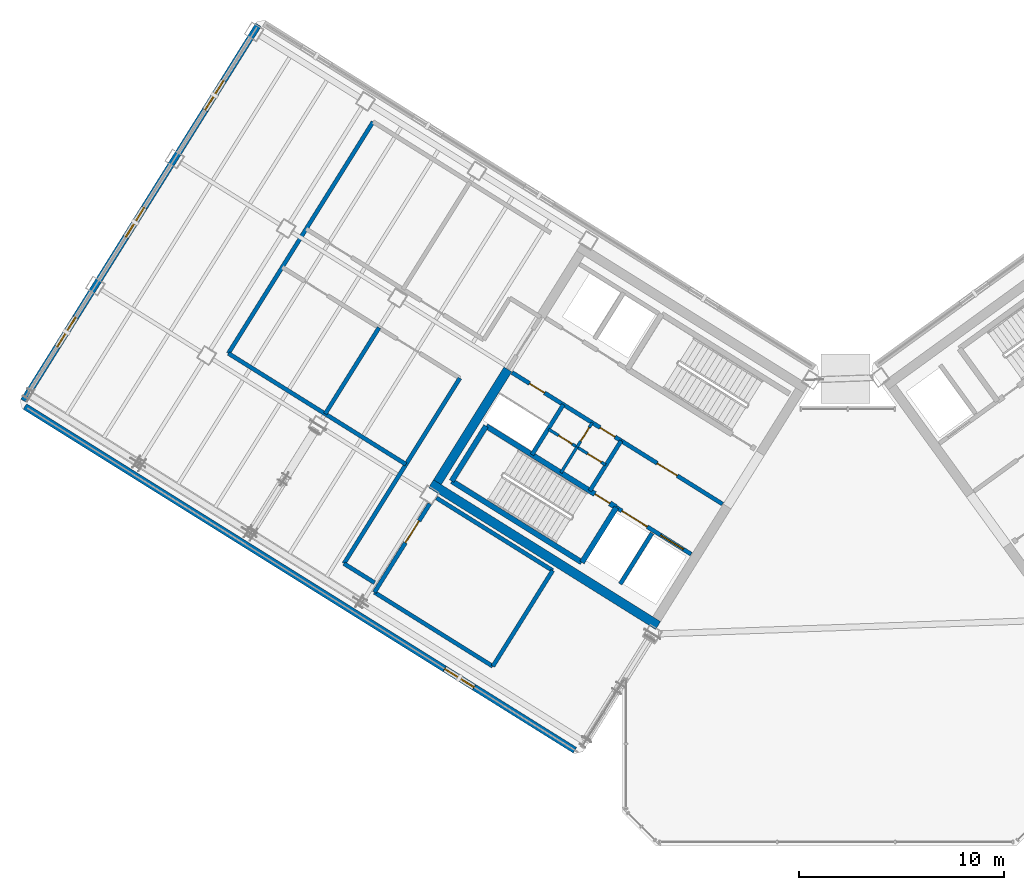
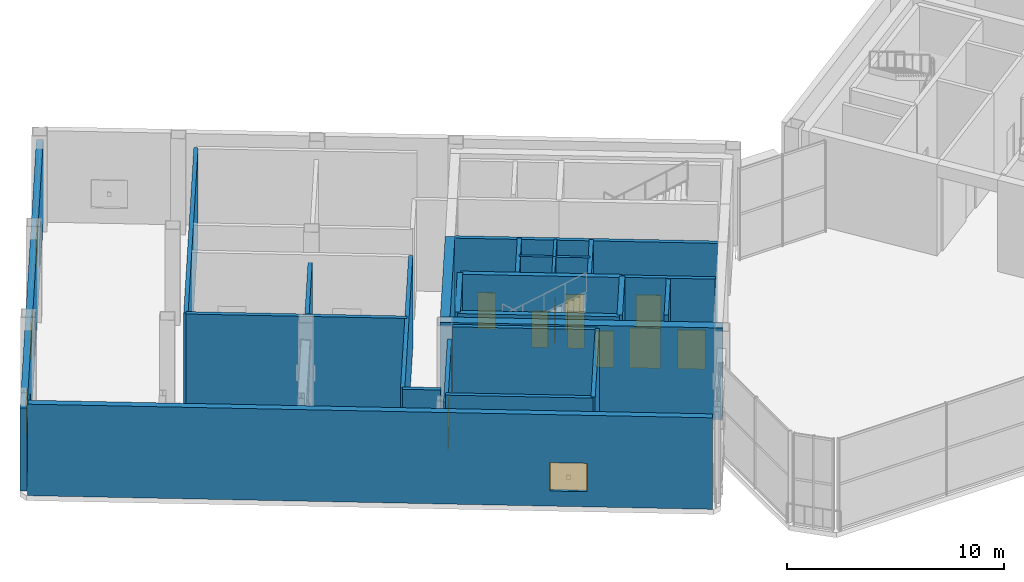
# One storey, part 21 of 32: 26 walls, 10 doors, 4 windows, 14 openings.
"""IFC4 building model written with IfcOpenShell, lengths in metres."""

from ifc_helpers import new_model, si_unit, direction, frame, frame_2d, origin, place, context, subcontext, project, spatial, rectangle, extrude, source, transform, mapped, material, layer, layer_set, type_object, element, fill, save


model = new_model("IFC4")

# Units and contexts
model_context = context("Model", 3, precision=1e-05, world=origin(), true_north=direction((0.0, 1.0)))
body_context = subcontext(model_context, "Body", "Model", "MODEL_VIEW")
ifc_project = project(units=[si_unit("LENGTHUNIT", "METRE"), si_unit("AREAUNIT", "SQUARE_METRE"), si_unit("VOLUMEUNIT", "CUBIC_METRE"), si_unit("PLANEANGLEUNIT", "RADIAN"), si_unit("MASSUNIT", "GRAM", prefix="KILO")], contexts=[model_context])

# Site, building, storey
site_placement = place(None, origin())
site = spatial("IfcSite", under=ifc_project, at=site_placement, CompositionType="ELEMENT")
building_placement = place(site_placement, origin())
building = spatial("IfcBuilding", under=site, at=building_placement, Name="Tlacorven Tower", CompositionType="ELEMENT")
storey_placement = place(building_placement, frame((0.0, 0.0, 245.699951171875)))
storey = spatial("IfcBuildingStorey", under=building, at=storey_placement, Name="L62", CompositionType="ELEMENT", Elevation=245.699951171875)

# Walls
ifc_material_1 = material(Name="Concrete C50/60", Category="concrete")
ifc_layer_1 = layer(ifc_material_1, 0.449951171875)
ifc_layer_set_1 = layer_set([ifc_layer_1], Name="Concrete C50/60")
wall_type_1 = type_object("IfcWallType", Name="WL-COR-450", PredefinedType="SHEAR", material=ifc_layer_set_1)
wall_1_placement = place(storey_placement, frame((33.32373046875, 12.5029296875, 0.0), z_axis=(0.0, 0.0, 1.0), x_axis=(-0.848043529849, 0.529926571782, 0.0)))
element("IfcWall", 1, at=wall_1_placement, inside=storey, type_object=wall_type_1, Name="L62 W core shear wall S2", PredefinedType="SHEAR", context=body_context, shape_type="SweptSolid", body=[
    extrude(rectangle(XDim=13.039794921875, YDim=0.449951171875, at=frame_2d((6.52001953125, 0.0))), origin(), (0.0, 0.0, 1.0), 5.150146484375),
])
wall_2_placement = place(storey_placement, frame((26.006591796875, 24.975830078125, 0.0), z_axis=(0.0, 0.0, 1.0), x_axis=(-0.529931155655, -0.848040665456, 0.0)))
element("IfcWall", 2, at=wall_2_placement, inside=storey, type_object=wall_type_1, Name="L62 W core end wall E2.2", PredefinedType="SHEAR", context=body_context, shape_type="SweptSolid", body=[
    extrude(rectangle(XDim=6.47509765625, YDim=0.449951171875, at=frame_2d((3.237548828125, 0.0))), origin(), (0.0, 0.0, 1.0), 5.150146484375),
])

# Wall, opening, window
ifc_material_2 = material(Name="Precast concrete C45/55", Category="concrete")
ifc_layer_2 = layer(ifc_material_2, 0.320068359375)
ifc_layer_set_2 = layer_set([ifc_layer_2], Name="Precast concrete C45/55")
wall_type_2 = type_object("IfcWallType", Name="WL-EXT-320", PredefinedType="STANDARD", material=ifc_layer_set_2)
wall_3_placement = place(storey_placement, frame((29.267822265625, 6.429443359375, 0.0), z_axis=(0.0, 0.0, 1.0), x_axis=(-0.848049971435, 0.529916263149, 0.0)))
wall_3 = element("IfcWall", 3, at=wall_3_placement, inside=storey, type_object=wall_type_2, Name="L62 Masonry-Frame Recessed Facade Wall 1", PredefinedType="STANDARD", context=body_context, shape_type="SweptSolid", body=[
    extrude(rectangle(XDim=31.587646484375, YDim=0.320068359375, at=frame_2d((15.7939453125, 0.0))), origin(), (0.0, 0.0, 1.0), 5.150146484375),
])
opening_1_placement = place(wall_3_placement, frame((5.781982421875, 0.0, 0.85009765625)))
opening_1 = element("IfcOpeningElement", 4, at=opening_1_placement, cuts=wall_3, Name="Opening WN19", PredefinedType="OPENING", context=body_context, shape_type="SweptSolid", body=[
    extrude(rectangle(XDim=1.699951171875, YDim=1.60009765625, at=frame_2d((0.85009765625, 0.800048828125))), frame((0.0, 0.169921875, 0.0), z_axis=(0.0, -1.0, 0.0), x_axis=(1.0, 0.0, 0.0)), (0.0, 0.0, 1.0), 0.340087890625),
])
ifc_material_3 = material(Name="Dark solar low-E double glazing in anodised aluminium frame", Category="aluminium")
window_type = type_object("IfcWindowType", Name="WN-CRN-1700X1800", PartitioningType="SINGLE_PANEL", PredefinedType="WINDOW", material=ifc_material_3)
shared_shape_1 = source(origin(), body_context, "Body", "SweptSolid", [
    extrude(rectangle(XDim=1.699951171875, YDim=1.60009765625, at=frame_2d((0.85009765625, 0.800048828125))), frame((0.0, 0.030029296875, 0.0), z_axis=(0.0, -1.0, 0.0), x_axis=(1.0, 0.0, 0.0)), (0.0, 0.0, 1.0), 0.06005859375),
])
window_1_placement = place(opening_1_placement, origin())
window_1 = element("IfcWindow", 5, at=window_1_placement, inside=storey, type_object=window_type, Name="L62 Acoustic Plant Facade Window 1.1", OverallHeight=1.60009765625, OverallWidth=1.699951171875, PartitioningType="SINGLE_PANEL", PredefinedType="WINDOW", context=body_context, shape_type="MappedRepresentation", body=[
    mapped(shared_shape_1, transform((0.0, 0.0, 0.0), scale=1.0)),
])
fill(opening_1, window_1)

# Wall, openings, windows
wall_4_placement = place(storey_placement, frame((2.41455078125, 23.452392578125, 0.0), z_axis=(0.0, 0.0, 1.0), x_axis=(0.52991049553, 0.848053575387, 0.0)))
wall_4 = element("IfcWall", 6, at=wall_4_placement, inside=storey, type_object=wall_type_2, Name="L62 Masonry-Frame Recessed Facade Wall 2", PredefinedType="STANDARD", context=body_context, shape_type="SweptSolid", body=[
    extrude(rectangle(XDim=21.58740234375, YDim=0.320068359375, at=frame_2d((10.793701171875, 0.0))), origin(), (0.0, 0.0, 1.0), 4.675048828125),
])
opening_2_placement = place(wall_4_placement, frame((3.09375, 0.0, 0.85009765625)))
opening_2 = element("IfcOpeningElement", 7, at=opening_2_placement, cuts=wall_4, Name="Opening WN19", PredefinedType="OPENING", context=body_context, shape_type="SweptSolid", body=[
    extrude(rectangle(XDim=1.699951171875, YDim=1.60009765625, at=frame_2d((0.85009765625, 0.800048828125))), frame((0.0, 0.169921875, 0.0), z_axis=(0.0, -1.0, 0.0), x_axis=(1.0, 0.0, 0.0)), (0.0, 0.0, 1.0), 0.340087890625),
])
opening_3_placement = place(wall_4_placement, frame((9.393798828125, 0.0, 0.85009765625)))
opening_3 = element("IfcOpeningElement", 8, at=opening_3_placement, cuts=wall_4, Name="Opening WN19", PredefinedType="OPENING", context=body_context, shape_type="SweptSolid", body=[
    extrude(rectangle(XDim=1.699951171875, YDim=1.60009765625, at=frame_2d((0.85009765625, 0.800048828125))), frame((0.0, 0.169921875, 0.0), z_axis=(0.0, -1.0, 0.0), x_axis=(1.0, 0.0, 0.0)), (0.0, 0.0, 1.0), 0.340087890625),
])
opening_4_placement = place(wall_4_placement, frame((16.693603515625, 0.0, 0.85009765625)))
opening_4 = element("IfcOpeningElement", 9, at=opening_4_placement, cuts=wall_4, Name="Opening WN19", PredefinedType="OPENING", context=body_context, shape_type="SweptSolid", body=[
    extrude(rectangle(XDim=1.699951171875, YDim=1.60009765625, at=frame_2d((0.85009765625, 0.800048828125))), frame((0.0, 0.169921875, 0.0), z_axis=(0.0, -1.0, 0.0), x_axis=(1.0, 0.0, 0.0)), (0.0, 0.0, 1.0), 0.340087890625),
])
window_2_placement = place(opening_2_placement, origin())
window_2 = element("IfcWindow", 10, at=window_2_placement, inside=storey, type_object=window_type, Name="L62 Acoustic Plant Facade Window 2.1", OverallHeight=1.60009765625, OverallWidth=1.699951171875, PartitioningType="SINGLE_PANEL", PredefinedType="WINDOW", context=body_context, shape_type="MappedRepresentation", body=[
    mapped(shared_shape_1, transform((0.0, 0.0, 0.0), scale=1.0)),
])
fill(opening_2, window_2)
window_3_placement = place(opening_3_placement, origin())
window_3 = element("IfcWindow", 11, at=window_3_placement, inside=storey, type_object=window_type, Name="L62 Acoustic Plant Facade Window 2.2", OverallHeight=1.60009765625, OverallWidth=1.699951171875, PartitioningType="SINGLE_PANEL", PredefinedType="WINDOW", context=body_context, shape_type="MappedRepresentation", body=[
    mapped(shared_shape_1, transform((0.0, 0.0, 0.0), scale=1.0)),
])
fill(opening_3, window_3)
window_4_placement = place(opening_4_placement, origin())
window_4 = element("IfcWindow", 12, at=window_4_placement, inside=storey, type_object=window_type, Name="L62 Acoustic Plant Facade Window 2.3", OverallHeight=1.60009765625, OverallWidth=1.699951171875, PartitioningType="SINGLE_PANEL", PredefinedType="WINDOW", context=body_context, shape_type="MappedRepresentation", body=[
    mapped(shared_shape_1, transform((0.0, 0.0, 0.0), scale=1.0)),
])
fill(opening_4, window_4)

# Wall, opening, door
ifc_material_4 = material(Name="Moisture-resistant gypsum plumbing wall", Category="gypsum")
ifc_layer_3 = layer(ifc_material_4, 0.139892578125)
ifc_layer_set_3 = layer_set([ifc_layer_3], Name="Moisture-resistant gypsum plumbing wall")
wall_type_3 = type_object("IfcWallType", Name="WL-PLM-140", PredefinedType="PLUMBINGWALL", material=ifc_layer_set_3)
wall_5_placement = place(storey_placement, frame((30.117431640625, 22.383544921875, 0.0), z_axis=(0.0, 0.0, 1.0), x_axis=(-0.529951914384, -0.848027693204, 0.0)))
wall_5 = element("IfcWall", 13, at=wall_5_placement, inside=storey, type_object=wall_type_3, Name="L62 partition 18", PredefinedType="PLUMBINGWALL", context=body_context, shape_type="SweptSolid", body=[
    extrude(rectangle(XDim=1.39990234375, YDim=0.139892578125, at=frame_2d((0.699951171875, 0.0))), origin(), (0.0, 0.0, 1.0), 5.14013671875),
])
opening_5_placement = place(wall_5_placement, frame((0.280029296875, 0.0, 0.0)))
opening_5 = element("IfcOpeningElement", 14, at=opening_5_placement, cuts=wall_5, Name="Opening D22", PredefinedType="OPENING", context=body_context, shape_type="SweptSolid", body=[
    extrude(rectangle(XDim=0.780029296875, YDim=2.050048828125, at=frame_2d((0.39013671875, 1.02490234375))), frame((0.0, 0.080078125, 0.0), z_axis=(0.0, -1.0, 0.0), x_axis=(1.0, 0.0, 0.0)), (0.0, 0.0, 1.0), 0.159912109375),
])
ifc_material_5 = material(Name="Powder-coated aluminium and timber door", Category="wood")
door_type_1 = type_object("IfcDoorType", Name="DR-INT-WET-0780", OperationType="NOTDEFINED", PredefinedType="DOOR", material=ifc_material_5)
shared_shape_2 = source(origin(), body_context, "Body", "SweptSolid", [
    extrude(rectangle(XDim=0.780029296875, YDim=2.050048828125, at=frame_2d((0.39013671875, 1.02490234375))), frame((0.0, 0.02490234375, 0.0), z_axis=(0.0, -1.0, 0.0), x_axis=(1.0, 0.0, 0.0)), (0.0, 0.0, 1.0), 0.050048828125),
])
door_1_placement = place(opening_5_placement, origin())
door_1 = element("IfcDoor", 15, at=door_1_placement, inside=storey, type_object=door_type_1, Name="L62 door 010", OperationType="SINGLE_SWING_LEFT", OverallHeight=2.050048828125, OverallWidth=0.780029296875, PredefinedType="DOOR", context=body_context, shape_type="MappedRepresentation", body=[
    mapped(shared_shape_2, transform((0.0, 0.0, 0.0), scale=1.0)),
])
fill(opening_5, door_1)

# Wall
wall_6_placement = place(storey_placement, frame((29.37548828125, 21.1962890625, 0.0), z_axis=(0.0, 0.0, 1.0), x_axis=(-0.529865479138, -0.848081702443, 0.0)))
element("IfcWall", 16, at=wall_6_placement, inside=storey, type_object=wall_type_3, Name="L62 partition 19", PredefinedType="PLUMBINGWALL", context=body_context, shape_type="SweptSolid", body=[
    extrude(rectangle(XDim=1.47998046875, YDim=0.139892578125, at=frame_2d((0.739990234375, 0.0))), origin(), (0.0, 0.0, 1.0), 5.14013671875),
])

# Wall, openings, doors
wall_7_placement = place(storey_placement, frame((30.766357421875, 20.3271484375, 0.0), z_axis=(0.0, 0.0, 1.0), x_axis=(-0.848052663127, 0.529911955482, 0.0)))
wall_7 = element("IfcWall", 17, at=wall_7_placement, inside=storey, type_object=wall_type_3, Name="L62 partition 20", PredefinedType="PLUMBINGWALL", context=body_context, shape_type="SweptSolid", body=[
    extrude(rectangle(XDim=3.27978515625, YDim=0.139892578125, at=frame_2d((1.639892578125, 0.0))), origin(), (0.0, 0.0, 1.0), 5.14013671875),
])
opening_6_placement = place(wall_7_placement, frame((0.25, 0.0, 0.0)))
opening_6 = element("IfcOpeningElement", 18, at=opening_6_placement, cuts=wall_7, Name="Opening D22", PredefinedType="OPENING", context=body_context, shape_type="SweptSolid", body=[
    extrude(rectangle(XDim=0.780029296875, YDim=2.050048828125, at=frame_2d((0.39013671875, 1.02490234375))), frame((0.0, 0.080078125, 0.0), z_axis=(0.0, -1.0, 0.0), x_axis=(1.0, 0.0, 0.0)), (0.0, 0.0, 1.0), 0.159912109375),
])
opening_7_placement = place(wall_7_placement, frame((1.919921875, 0.0, 0.0)))
opening_7 = element("IfcOpeningElement", 19, at=opening_7_placement, cuts=wall_7, Name="Opening D22", PredefinedType="OPENING", context=body_context, shape_type="SweptSolid", body=[
    extrude(rectangle(XDim=0.780029296875, YDim=2.050048828125, at=frame_2d((0.39013671875, 1.02490234375))), frame((0.0, 0.080078125, 0.0), z_axis=(0.0, -1.0, 0.0), x_axis=(1.0, 0.0, 0.0)), (0.0, 0.0, 1.0), 0.159912109375),
])
door_2_placement = place(opening_6_placement, origin())
door_2 = element("IfcDoor", 20, at=door_2_placement, inside=storey, type_object=door_type_1, Name="L62 door 011", OperationType="SINGLE_SWING_RIGHT", OverallHeight=2.050048828125, OverallWidth=0.780029296875, PredefinedType="DOOR", context=body_context, shape_type="MappedRepresentation", body=[
    mapped(shared_shape_2, transform((0.0, 0.0, 0.0), scale=1.0)),
])
fill(opening_6, door_2)
door_3_placement = place(opening_7_placement, origin())
door_3 = element("IfcDoor", 21, at=door_3_placement, inside=storey, type_object=door_type_1, Name="L62 door 012", OperationType="SINGLE_SWING_LEFT", OverallHeight=2.050048828125, OverallWidth=0.780029296875, PredefinedType="DOOR", context=body_context, shape_type="MappedRepresentation", body=[
    mapped(shared_shape_2, transform((0.0, 0.0, 0.0), scale=1.0)),
])
fill(opening_7, door_3)

ifc_material_6 = material(Name="Concrete C40/50", Category="concrete")
ifc_layer_4 = layer(ifc_material_6, 0.199951171875)
ifc_layer_set_4 = layer_set([ifc_layer_4], Name="Concrete C40/50")
wall_type_4 = type_object("IfcWallType", Name="WL-SHF-200", PredefinedType="STANDARD", material=ifc_layer_set_4)
wall_8_placement = place(storey_placement, frame((34.93310546875, 15.978271484375, 0.0), z_axis=(0.0, 0.0, 1.0), x_axis=(-0.848055739377, 0.529907032327, 0.0)))
wall_8 = element("IfcWall", 22, at=wall_8_placement, inside=storey, type_object=wall_type_4, Name="L62 Core W Firefighting Lift Shaft Front Wall", PredefinedType="STANDARD", context=body_context, shape_type="SweptSolid", body=[
    extrude(rectangle(XDim=4.298095703125, YDim=0.199951171875, at=frame_2d((2.14892578125, 0.0))), origin(), (0.0, 0.0, 1.0), 5.14013671875),
])
opening_8_placement = place(wall_8_placement, frame((0.447998046875, 0.0, 0.0)))
opening_8 = element("IfcOpeningElement", 23, at=opening_8_placement, cuts=wall_8, Name="Opening LD03", PredefinedType="OPENING", context=body_context, shape_type="SweptSolid", body=[
    extrude(rectangle(XDim=1.300048828125, YDim=2.199951171875, at=frame_2d((0.64990234375, 1.10009765625))), frame((0.0, 0.10986328125, 0.0), z_axis=(0.0, -1.0, 0.0), x_axis=(1.0, 0.0, 0.0)), (0.0, 0.0, 1.0), 0.219970703125),
])
opening_9_placement = place(wall_8_placement, frame((2.52294921875, 0.0, 0.0)))
opening_9 = element("IfcOpeningElement", 24, at=opening_9_placement, cuts=wall_8, Name="Opening LD04", PredefinedType="OPENING", context=body_context, shape_type="SweptSolid", body=[
    extrude(rectangle(XDim=1.449951171875, YDim=2.25, at=frame_2d((0.72509765625, 1.125))), frame((0.0, 0.10986328125, 0.0), z_axis=(0.0, -1.0, 0.0), x_axis=(1.0, 0.0, 0.0)), (0.0, 0.0, 1.0), 0.219970703125),
])
ifc_material_7 = material(Name="Fire-rated steel door assembly", Category="steel")
door_type_2 = type_object("IfcDoorType", Name="DR-LFT-SLID-1300", OperationType="DOUBLE_DOOR_SLIDING", PredefinedType="DOOR", material=ifc_material_7)
shared_shape_3 = source(origin(), body_context, "Body", "SweptSolid", [
    extrude(rectangle(XDim=1.300048828125, YDim=2.199951171875, at=frame_2d((0.64990234375, 1.10009765625))), frame((0.0, 0.02490234375, 0.0), z_axis=(0.0, -1.0, 0.0), x_axis=(1.0, 0.0, 0.0)), (0.0, 0.0, 1.0), 0.050048828125),
])
door_4_placement = place(opening_8_placement, origin())
door_4 = element("IfcDoor", 25, at=door_4_placement, inside=storey, type_object=door_type_2, Name="L62 Lift FFL-W1 Sliding Landing Door", OperationType="DOUBLE_DOOR_SLIDING", OverallHeight=2.199951171875, OverallWidth=1.300048828125, PredefinedType="DOOR", context=body_context, shape_type="MappedRepresentation", body=[
    mapped(shared_shape_3, transform((0.0, 0.0, 0.0), scale=1.0)),
])
fill(opening_8, door_4)
door_type_3 = type_object("IfcDoorType", Name="DR-LFT-SLID-1450", OperationType="DOUBLE_DOOR_SLIDING", PredefinedType="DOOR", material=ifc_material_7)
shared_shape_4 = source(origin(), body_context, "Body", "SweptSolid", [
    extrude(rectangle(XDim=1.449951171875, YDim=2.25, at=frame_2d((0.72509765625, 1.125))), frame((0.0, 0.02490234375, 0.0), z_axis=(0.0, -1.0, 0.0), x_axis=(1.0, 0.0, 0.0)), (0.0, 0.0, 1.0), 0.050048828125),
])
door_5_placement = place(opening_9_placement, origin())
door_5 = element("IfcDoor", 26, at=door_5_placement, inside=storey, type_object=door_type_3, Name="L62 Lift SVL-W1 Sliding Landing Door", OperationType="DOUBLE_DOOR_SLIDING", OverallHeight=2.25, OverallWidth=1.449951171875, PredefinedType="DOOR", context=body_context, shape_type="MappedRepresentation", body=[
    mapped(shared_shape_4, transform((0.0, 0.0, 0.0), scale=1.0)),
])
fill(opening_9, door_5)

# Wall, opening, door
wall_9_placement = place(storey_placement, frame((36.459228515625, 18.420654296875, 0.0), z_axis=(0.0, 0.0, 1.0), x_axis=(-0.848059591691, 0.529900867089, 0.0)))
wall_9 = element("IfcWall", 27, at=wall_9_placement, inside=storey, type_object=wall_type_4, Name="L62 Core W Smoke Lobby Wall", PredefinedType="STANDARD", context=body_context, shape_type="SweptSolid", body=[
    extrude(rectangle(XDim=5.818115234375, YDim=0.199951171875, at=frame_2d((2.9091796875, 0.0))), origin(), (0.0, 0.0, 1.0), 5.14013671875),
])
opening_10_placement = place(wall_9_placement, frame((2.597900390625, 0.0, 0.0)))
opening_10 = element("IfcOpeningElement", 28, at=opening_10_placement, cuts=wall_9, Name="Opening D09", PredefinedType="OPENING", context=body_context, shape_type="SweptSolid", body=[
    extrude(rectangle(XDim=1.14990234375, YDim=2.10009765625, at=frame_2d((0.574951171875, 1.050048828125))), frame((0.0, 0.10986328125, 0.0), z_axis=(0.0, -1.0, 0.0), x_axis=(1.0, 0.0, 0.0)), (0.0, 0.0, 1.0), 0.219970703125),
])
door_type_4 = type_object("IfcDoorType", Name="DR-FFL-FD60-1150", OperationType="NOTDEFINED", PredefinedType="DOOR", material=ifc_material_7)
shared_shape_5 = source(origin(), body_context, "Body", "SweptSolid", [
    extrude(rectangle(XDim=1.14990234375, YDim=2.10009765625, at=frame_2d((0.574951171875, 1.050048828125))), frame((0.0, 0.02490234375, 0.0), z_axis=(0.0, -1.0, 0.0), x_axis=(1.0, 0.0, 0.0)), (0.0, 0.0, 1.0), 0.050048828125),
])
door_6_placement = place(opening_10_placement, origin())
door_6 = element("IfcDoor", 29, at=door_6_placement, inside=storey, type_object=door_type_4, Name="L62 Firefighting Lobby W Fire Door", OperationType="SINGLE_SWING_RIGHT", OverallHeight=2.10009765625, OverallWidth=1.14990234375, PredefinedType="DOOR", context=body_context, shape_type="MappedRepresentation", body=[
    mapped(shared_shape_5, transform((0.0, 0.0, 0.0), scale=1.0)),
])
fill(opening_10, door_6)

# Walls
wall_10_placement = place(storey_placement, frame((33.02880859375, 17.003173828125, 0.0), z_axis=(0.0, 0.0, 1.0), x_axis=(-0.529916267533, -0.848049968695, 0.0)))
element("IfcWall", 30, at=wall_10_placement, inside=storey, type_object=wall_type_4, Name="L62 partition 11", PredefinedType="STANDARD", context=body_context, shape_type="SweptSolid", body=[
    extrude(rectangle(XDim=2.919921875, YDim=0.199951171875, at=frame_2d((1.4599609375, 0.0))), origin(), (0.0, 0.0, 1.0), 5.14013671875),
])
for number, where, z_axis, x_axis, name in (
    (31, (31.525146484375, 21.503662109375, 0.0), (0.0, 0.0, 1.0), (-0.529907497854, -0.848055448493, 0.0), "L62 partition 15"),
    (32, (28.709716796875, 23.26318359375, 0.0), (0.0, 0.0, 1.0), (-0.529907497854, -0.848055448493, 0.0), "L62 partition 16"),
):
    element("IfcWall", number, at=place(storey_placement, frame(where, z_axis=z_axis, x_axis=x_axis)), inside=storey, type_object=wall_type_4, Name=name, PredefinedType="STANDARD", context=body_context, shape_type="SweptSolid", body=[
        extrude(rectangle(XDim=2.8798828125, YDim=0.199951171875, at=frame_2d((1.43994140625, 0.0))), origin(), (0.0, 0.0, 1.0), 5.14013671875),
    ])

# Wall, openings, doors
wall_11_placement = place(storey_placement, frame((31.525146484375, 21.503662109375, 0.0), z_axis=(0.0, 0.0, 1.0), x_axis=(-0.848042066329, 0.529928913853, 0.0)))
wall_11 = element("IfcWall", 33, at=wall_11_placement, inside=storey, type_object=wall_type_4, Name="L62 Core W North Service Wall", PredefinedType="STANDARD", context=body_context, shape_type="SweptSolid", body=[
    extrude(rectangle(XDim=6.267822265625, YDim=0.199951171875, at=frame_2d((3.1337890625, 0.0))), origin(), (0.0, 0.0, 1.0), 5.14013671875),
])
opening_11_placement = place(wall_11_placement, frame((4.39990234375, 0.0, 0.0)))
opening_11 = element("IfcOpeningElement", 34, at=opening_11_placement, cuts=wall_11, Name="Opening D19", PredefinedType="OPENING", context=body_context, shape_type="SweptSolid", body=[
    extrude(rectangle(XDim=0.860107421875, YDim=2.050048828125, at=frame_2d((0.43017578125, 1.02490234375))), frame((0.0, 0.10986328125, 0.0), z_axis=(0.0, -1.0, 0.0), x_axis=(1.0, 0.0, 0.0)), (0.0, 0.0, 1.0), 0.219970703125),
])
opening_12_placement = place(wall_11_placement, frame((0.35009765625, 0.0, 0.0)))
opening_12 = element("IfcOpeningElement", 35, at=opening_12_placement, cuts=wall_11, Name="Opening D19", PredefinedType="OPENING", context=body_context, shape_type="SweptSolid", body=[
    extrude(rectangle(XDim=0.860107421875, YDim=2.050048828125, at=frame_2d((0.43017578125, 1.02490234375))), frame((0.0, 0.10986328125, 0.0), z_axis=(0.0, -1.0, 0.0), x_axis=(1.0, 0.0, 0.0)), (0.0, 0.0, 1.0), 0.219970703125),
])
door_type_5 = type_object("IfcDoorType", Name="DR-RSR-FD60-0860", OperationType="NOTDEFINED", PredefinedType="DOOR", material=ifc_material_7)
shared_shape_6 = source(origin(), body_context, "Body", "SweptSolid", [
    extrude(rectangle(XDim=0.860107421875, YDim=2.050048828125, at=frame_2d((0.43017578125, 1.02490234375))), frame((0.0, 0.02490234375, 0.0), z_axis=(0.0, -1.0, 0.0), x_axis=(1.0, 0.0, 0.0)), (0.0, 0.0, 1.0), 0.050048828125),
])
door_7_placement = place(opening_11_placement, frame((0.860107421875, 0.0, 0.0), z_axis=(0.0, 0.0, 1.0), x_axis=(-1.0, 0.0, 0.0)))
door_7 = element("IfcDoor", 36, at=door_7_placement, inside=storey, type_object=door_type_5, Name="L62 Electrical Riser Access Door W", OperationType="SINGLE_SWING_LEFT", OverallHeight=2.050048828125, OverallWidth=0.860107421875, PredefinedType="DOOR", context=body_context, shape_type="MappedRepresentation", body=[
    mapped(shared_shape_6, transform((0.0, 0.0, 0.0), scale=1.0)),
])
fill(opening_11, door_7)
door_8_placement = place(opening_12_placement, frame((0.860107421875, 0.0, 0.0), z_axis=(0.0, 0.0, 1.0), x_axis=(-1.0, 0.0, 0.0)))
door_8 = element("IfcDoor", 37, at=door_8_placement, inside=storey, type_object=door_type_5, Name="L62 Cleaning Room Access Door W", OperationType="SINGLE_SWING_RIGHT", OverallHeight=2.050048828125, OverallWidth=0.860107421875, PredefinedType="DOOR", context=body_context, shape_type="MappedRepresentation", body=[
    mapped(shared_shape_6, transform((0.0, 0.0, 0.0), scale=1.0)),
])
fill(opening_12, door_8)

# Walls
wall_12_placement = place(storey_placement, frame((19.44091796875, 37.037841796875, 0.0), z_axis=(0.0, 0.0, 1.0), x_axis=(-0.529936237412, -0.848037489901, 0.0)))
element("IfcWall", 38, at=wall_12_placement, inside=storey, type_object=wall_type_4, Name="L62 partition 39", PredefinedType="STANDARD", context=body_context, shape_type="SweptSolid", body=[
    extrude(rectangle(XDim=13.2998046875, YDim=0.199951171875, at=frame_2d((6.64990234375, 0.0))), origin(), (0.0, 0.0, 1.0), 5.14013671875),
])
wall_13_placement = place(storey_placement, frame((28.18798828125, 15.181640625, 0.0), z_axis=(0.0, 0.0, 1.0), x_axis=(-0.848049646362, 0.529916783378, 0.0)))
element("IfcWall", 39, at=wall_13_placement, inside=storey, type_object=wall_type_4, Name="L62 partition 41", PredefinedType="STANDARD", context=body_context, shape_type="SweptSolid", body=[
    extrude(rectangle(XDim=6.677978515625, YDim=0.199951171875, at=frame_2d((3.3388671875, 0.0))), origin(), (0.0, 0.0, 1.0), 5.14013671875),
])
wall_14_placement = place(storey_placement, frame((25.2734375, 10.517333984375, 0.0), z_axis=(0.0, 0.0, 1.0), x_axis=(-0.848048724775, 0.529918258231, 0.0)))
element("IfcWall", 40, at=wall_14_placement, inside=storey, type_object=wall_type_4, Name="L62 partition 42", PredefinedType="STANDARD", context=body_context, shape_type="SweptSolid", body=[
    extrude(rectangle(XDim=6.800048828125, YDim=0.199951171875, at=frame_2d((3.39990234375, 0.0))), origin(), (0.0, 0.0, 1.0), 5.14013671875),
])
wall_15_placement = place(storey_placement, frame((28.18798828125, 15.181640625, 0.0), z_axis=(0.0, 0.0, 1.0), x_axis=(-0.52991514706, -0.848050668838, 0.0)))
element("IfcWall", 41, at=wall_15_placement, inside=storey, type_object=wall_type_4, Name="L62 partition 43", PredefinedType="STANDARD", context=body_context, shape_type="SweptSolid", body=[
    extrude(rectangle(XDim=5.5, YDim=0.199951171875, at=frame_2d((2.75, 0.0))), origin(), (0.0, 0.0, 1.0), 5.14013671875),
])

# Wall, opening, door
wall_16_placement = place(storey_placement, frame((22.202880859375, 18.435791015625, 0.0), z_axis=(0.0, 0.0, 1.0), x_axis=(-0.529921302798, -0.848046822316, 0.0)))
wall_16 = element("IfcWall", 42, at=wall_16_placement, inside=storey, type_object=wall_type_4, Name="L62 partition 44", PredefinedType="STANDARD", context=body_context, shape_type="SweptSolid", body=[
    extrude(rectangle(XDim=5.088134765625, YDim=0.199951171875, at=frame_2d((2.5439453125, 0.0))), origin(), (0.0, 0.0, 1.0), 4.675048828125),
])
opening_13_placement = place(wall_16_placement, frame((0.988037109375, 0.0, 0.0)))
opening_13 = element("IfcOpeningElement", 43, at=opening_13_placement, cuts=wall_16, Name="Opening D08", PredefinedType="OPENING", context=body_context, shape_type="SweptSolid", body=[
    extrude(rectangle(XDim=1.25, YDim=2.14990234375, at=frame_2d((0.625, 1.074951171875))), frame((0.0, 0.10986328125, 0.0), z_axis=(0.0, -1.0, 0.0), x_axis=(1.0, 0.0, 0.0)), (0.0, 0.0, 1.0), 0.219970703125),
])
door_type_6 = type_object("IfcDoorType", Name="DR-STR-FD90-1250", OperationType="NOTDEFINED", PredefinedType="DOOR", material=ifc_material_7)
shared_shape_7 = source(origin(), body_context, "Body", "SweptSolid", [
    extrude(rectangle(XDim=1.25, YDim=2.14990234375, at=frame_2d((0.625, 1.074951171875))), frame((0.0, 0.02490234375, 0.0), z_axis=(0.0, -1.0, 0.0), x_axis=(1.0, 0.0, 0.0)), (0.0, 0.0, 1.0), 0.050048828125),
])
door_9_placement = place(opening_13_placement, origin())
door_9 = element("IfcDoor", 44, at=door_9_placement, inside=storey, type_object=door_type_6, Name="L62 door 022", OperationType="SINGLE_SWING_RIGHT", OverallHeight=2.14990234375, OverallWidth=1.25, PredefinedType="DOOR", context=body_context, shape_type="MappedRepresentation", body=[
    mapped(shared_shape_7, transform((0.0, 0.0, 0.0), scale=1.0)),
])
fill(opening_13, door_9)

# Walls
wall_17_placement = place(storey_placement, frame((19.51513671875, 14.587158203125, 0.0), z_axis=(0.0, 0.0, 1.0), x_axis=(-0.848076222107, 0.529874250646, 0.0)))
element("IfcWall", 45, at=wall_17_placement, inside=storey, type_object=wall_type_4, Name="L62 partition 46", PredefinedType="STANDARD", context=body_context, shape_type="SweptSolid", body=[
    extrude(rectangle(XDim=1.760009765625, YDim=0.199951171875, at=frame_2d((0.8798828125, 0.0))), origin(), (0.0, 0.0, 1.0), 5.14013671875),
])
wall_18_placement = place(storey_placement, frame((23.666015625, 24.551513671875, 0.0), z_axis=(0.0, 0.0, 1.0), x_axis=(-0.529912392506, -0.848052390049, 0.0)))
element("IfcWall", 46, at=wall_18_placement, inside=storey, type_object=wall_type_4, Name="L62 partition 48", PredefinedType="STANDARD", context=body_context, shape_type="SweptSolid", body=[
    extrude(rectangle(XDim=10.64990234375, YDim=0.199951171875, at=frame_2d((5.324951171875, 0.0))), origin(), (0.0, 0.0, 1.0), 5.14013671875),
])
wall_19_placement = place(storey_placement, frame((19.731201171875, 27.010498046875, 0.0), z_axis=(0.0, 0.0, 1.0), x_axis=(-0.529896970672, -0.848062026312, 0.0)))
element("IfcWall", 47, at=wall_19_placement, inside=storey, type_object=wall_type_4, Name="L62 partition 49", PredefinedType="STANDARD", context=body_context, shape_type="SweptSolid", body=[
    extrude(rectangle(XDim=4.9501953125, YDim=0.199951171875, at=frame_2d((2.47509765625, 0.0))), origin(), (0.0, 0.0, 1.0), 4.675048828125),
])
wall_20_placement = place(storey_placement, frame((21.04296875, 20.353759765625, 0.0), z_axis=(0.0, 0.0, 1.0), x_axis=(-0.848045364107, 0.529923636401, 0.0)))
element("IfcWall", 48, at=wall_20_placement, inside=storey, type_object=wall_type_4, Name="L62 partition 51", PredefinedType="STANDARD", context=body_context, shape_type="SweptSolid", body=[
    extrude(rectangle(XDim=10.2001953125, YDim=0.199951171875, at=frame_2d((5.10009765625, 0.0))), origin(), (0.0, 0.0, 1.0), 5.14013671875),
])
ifc_layer_5 = layer(ifc_material_1, 0.260009765625)
ifc_layer_set_5 = layer_set([ifc_layer_5], Name="Concrete C50/60")
wall_type_5 = type_object("IfcWallType", Name="WL-STW-260", PredefinedType="SHEAR", material=ifc_layer_set_5)
wall_21_placement = place(storey_placement, frame((29.60498046875, 15.581298828125, 0.0), z_axis=(0.0, 0.0, 1.0), x_axis=(-0.848036911448, 0.529937163087, 0.0)))
element("IfcWall", 49, at=wall_21_placement, inside=storey, type_object=wall_type_5, Name="L62 Stair W1 Far Shear Wall", PredefinedType="SHEAR", context=body_context, shape_type="SweptSolid", body=[
    extrude(rectangle(XDim=7.4599609375, YDim=0.260009765625, at=frame_2d((3.72998046875, 0.0))), origin(), (0.0, 0.0, 1.0), 5.150146484375),
])

# Wall, opening, door
wall_22_placement = place(storey_placement, frame((31.279541015625, 18.26123046875, 0.0), z_axis=(0.0, 0.0, 1.0), x_axis=(-0.848051618787, 0.529913626805, 0.0)))
wall_22 = element("IfcWall", 50, at=wall_22_placement, inside=storey, type_object=wall_type_5, Name="L62 Stair W1 Lobby Shear Wall", PredefinedType="SHEAR", context=body_context, shape_type="SweptSolid", body=[
    extrude(rectangle(XDim=7.4599609375, YDim=0.260009765625, at=frame_2d((3.72998046875, 0.0))), origin(), (0.0, 0.0, 1.0), 5.150146484375),
])
opening_14_placement = place(wall_22_placement, frame((0.360107421875, 0.0, 0.0)))
opening_14 = element("IfcOpeningElement", 51, at=opening_14_placement, cuts=wall_22, Name="Opening D19", PredefinedType="OPENING", context=body_context, shape_type="SweptSolid", body=[
    extrude(rectangle(XDim=0.860107421875, YDim=2.050048828125, at=frame_2d((0.43017578125, 1.02490234375))), frame((0.0, 0.14013671875, 0.0), z_axis=(0.0, -1.0, 0.0), x_axis=(1.0, 0.0, 0.0)), (0.0, 0.0, 1.0), 0.280029296875),
])
door_10_placement = place(opening_14_placement, frame((0.860107421875, 0.0, 0.0), z_axis=(0.0, 0.0, 1.0), x_axis=(-1.0, 0.0, 0.0)))
door_10 = element("IfcDoor", 52, at=door_10_placement, inside=storey, type_object=door_type_5, Name="L62 Exit Stair W1 Fire Door", OperationType="SINGLE_SWING_LEFT", OverallHeight=2.050048828125, OverallWidth=0.860107421875, PredefinedType="DOOR", context=body_context, shape_type="MappedRepresentation", body=[
    mapped(shared_shape_6, transform((0.0, 0.0, 0.0), scale=1.0)),
])
fill(opening_14, door_10)

# Walls
wall_23_placement = place(storey_placement, frame((31.2880859375, 18.255859375, 0.0), z_axis=(0.0, 0.0, 1.0), x_axis=(-0.529943379326, -0.848033026897, 0.0)))
element("IfcWall", 53, at=wall_23_placement, inside=storey, type_object=wall_type_5, Name="L62 Stair W1 West Shear Wall", PredefinedType="SHEAR", context=body_context, shape_type="SweptSolid", body=[
    extrude(rectangle(XDim=3.159912109375, YDim=0.260009765625, at=frame_2d((1.580078125, 0.0))), origin(), (0.0, 0.0, 1.0), 5.150146484375),
])
wall_24_placement = place(storey_placement, frame((24.944580078125, 22.2197265625, 0.0), z_axis=(0.0, 0.0, 1.0), x_axis=(-0.529908658664, -0.84805472316, 0.0)))
element("IfcWall", 54, at=wall_24_placement, inside=storey, type_object=wall_type_5, Name="L62 Stair W1 East Shear Wall", PredefinedType="SHEAR", context=body_context, shape_type="SweptSolid", body=[
    extrude(rectangle(XDim=3.16015625, YDim=0.260009765625, at=frame_2d((1.580078125, 0.0))), origin(), (0.0, 0.0, 1.0), 5.150146484375),
])

save(model, "model.ifc")
